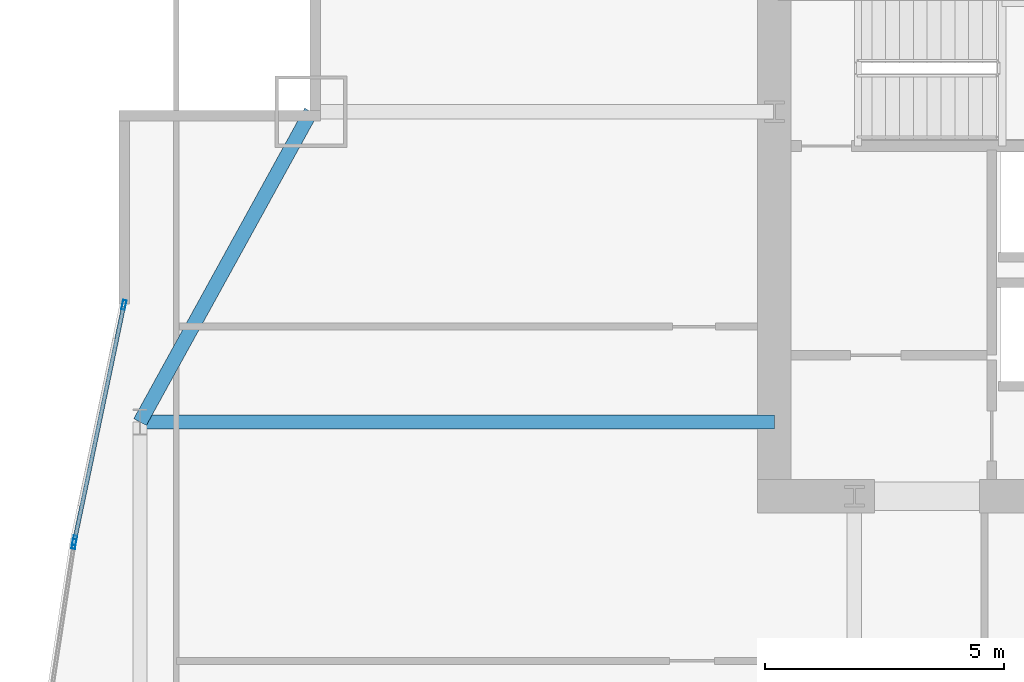
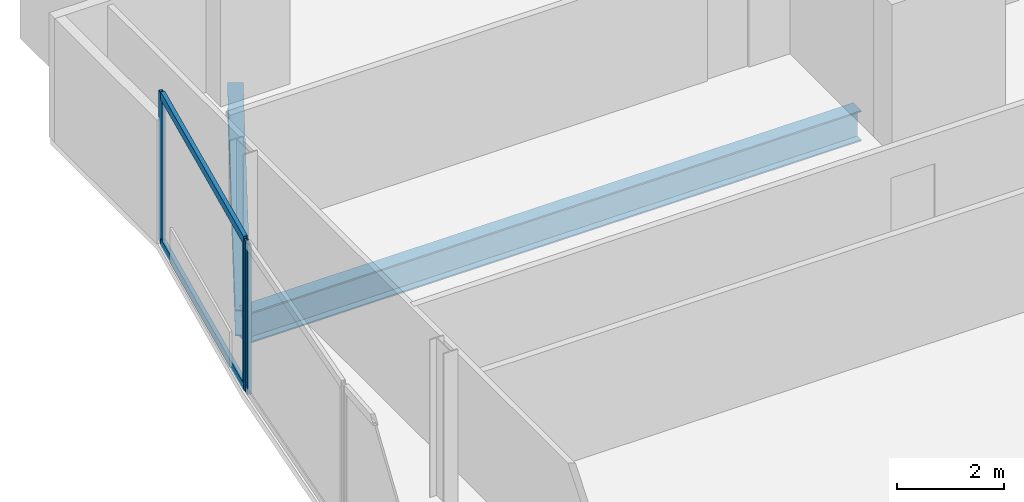
# One storey, part 17 of 33: 5 members, 2 beams, 2 elements without a shape of their own.
"""IFC4 building model written with IfcOpenShell, lengths in metres."""

from ifc_helpers import new_model, si_unit, direction, frame, origin, origin_2d, place, context, subcontext, project, spatial, hollow_rectangle, i_section, extrude, material, material_profile, profile_set, type_object, element, aggregate, save


model = new_model("IFC4")

# Units and contexts
model_context = context("Model", 3, precision=1e-05, world=origin(), true_north=direction((0.0, 1.0)))
body_context = subcontext(model_context, "Body", "Model", "MODEL_VIEW")
ifc_project = project(units=[si_unit("LENGTHUNIT", "METRE"), si_unit("AREAUNIT", "SQUARE_METRE"), si_unit("VOLUMEUNIT", "CUBIC_METRE"), si_unit("PLANEANGLEUNIT", "RADIAN"), si_unit("MASSUNIT", "GRAM", prefix="KILO")], contexts=[model_context])

# Site, building, storey
site_placement = place(None, origin())
site = spatial("IfcSite", under=ifc_project, at=site_placement, CompositionType="ELEMENT")
building_placement = place(site_placement, origin())
building = spatial("IfcBuilding", under=site, at=building_placement, Name="Khoronbel Lancet Exchange", CompositionType="ELEMENT")
storey_placement = place(building_placement, frame((0.0, 0.0, 114.60009765625)))
storey = spatial("IfcBuildingStorey", under=building, at=storey_placement, Name="L27", CompositionType="ELEMENT", Elevation=114.60009765625)

# Beams
ifc_material_1 = material(Name="Steel S355", Category="steel")
ifc_material_profile_1 = material_profile(ifc_material_1, i_section(OverallWidth=0.300048828125, OverallDepth=0.699951171875, WebThickness=0.01708984375, FlangeThickness=0.031982421875, at=origin_2d()), Name="HEB 700")
ifc_profile_set_1 = profile_set([ifc_material_profile_1], Name="Steel S355")
beam_type_1 = type_object("IfcBeamType", Name="BM-BG3", PredefinedType="BEAM", material=ifc_profile_set_1)
beam_1_placement = place(storey_placement, frame((3.27001953125, 43.199951171875, -0.510009765625), z_axis=(1.0, 0.0, 0.0), x_axis=(0.0, 1.0, 0.0)))
element("IfcBeam", 1, at=beam_1_placement, inside=storey, type_object=beam_type_1, Name="Level L27 west lens tie girder LG3W", PredefinedType="BEAM", context=body_context, shape_type="SweptSolid", body=[
    extrude(i_section(OverallWidth=0.300048828125, OverallDepth=0.699951171875, WebThickness=0.01708984375, FlangeThickness=0.031982421875, at=origin_2d()), origin(), (0.0, 0.0, 1.0), 13.280029296875),
])
ifc_material_profile_2 = material_profile(ifc_material_1, i_section(OverallWidth=0.300048828125, OverallDepth=0.60009765625, WebThickness=0.015380859375, FlangeThickness=0.030029296875, at=origin_2d()), Name="HEB 600")
ifc_profile_set_2 = profile_set([ifc_material_profile_2], Name="Steel S355")
beam_type_2 = type_object("IfcBeamType", Name="BM-BSP2", PredefinedType="SPANDREL", material=ifc_profile_set_2)
beam_2_placement = place(storey_placement, frame((6.85009765625, 49.699951171875, -0.460205078125), z_axis=(-0.482444051088, -0.875926787791, 0.0), x_axis=(0.875926787791, -0.482444051088, 0.0)))
element("IfcBeam", 2, at=beam_2_placement, inside=storey, type_object=beam_type_2, Name="Level L27 perimeter spandrel beam SP16", PredefinedType="SPANDREL", context=body_context, shape_type="SweptSolid", body=[
    extrude(i_section(OverallWidth=0.300048828125, OverallDepth=0.60009765625, WebThickness=0.015380859375, FlangeThickness=0.030029296875, at=origin_2d()), origin(), (0.0, 0.0, 1.0), 7.420654296875),
])

# Curtain wall, member
ifc_material_2 = material(Name="Low-E Solar Control Insulating Glass", Category="glass")
curtain_wall_type = type_object("IfcCurtainWallType", Name="CW-4", PredefinedType="NOTDEFINED", material=ifc_material_2)
curtain_wall_1_placement = place(storey_placement, origin())
curtain_wall_1 = element("IfcCurtainWall", 3, at=curtain_wall_1_placement, inside=storey, type_object=curtain_wall_type, Name="Unitised curtain wall CW-L27-E08", PredefinedType="NOTDEFINED")
ifc_material_3 = material(Name="Bronze-Anodised Aluminium 6063-T6", Category="aluminium")
ifc_material_profile_3 = material_profile(ifc_material_3, hollow_rectangle(XDim=0.074951171875, YDim=0.199951171875, WallThickness=0.0048828125, at=origin_2d()), Name="ALU MULLION 75x200")
ifc_profile_set_3 = profile_set([ifc_material_profile_3], Name="Bronze-Anodised Aluminium 6063-T6")
member_type_1 = type_object("IfcMemberType", Name="MEM-CWM2", PredefinedType="MULLION", material=ifc_profile_set_3)
member_1_placement = place(storey_placement, frame((1.88623046875, 40.646728515625, 0.0), z_axis=(0.0, 0.0, 1.0), x_axis=(-0.988454851149, 0.151515699646, 0.0)))
member_1 = element("IfcMember", 4, at=member_1_placement, type_object=member_type_1, Name="CW4 mullion 2", PredefinedType="MULLION", context=body_context, shape_type="SweptSolid", body=[
    extrude(hollow_rectangle(XDim=0.074951171875, YDim=0.199951171875, WallThickness=0.0048828125, at=origin_2d()), origin(), (0.0, 0.0, 1.0), 3.43994140625),
])
aggregate(curtain_wall_1, [member_1])

# Curtain wall, members
curtain_wall_2_placement = place(storey_placement, origin())
curtain_wall_2 = element("IfcCurtainWall", 5, at=curtain_wall_2_placement, inside=storey, type_object=curtain_wall_type, Name="Unitised curtain wall CW-L27-E09", PredefinedType="NOTDEFINED")
member_2_placement = place(storey_placement, frame((1.8994140625, 40.720703125, 0.0), z_axis=(0.0, 0.0, 1.0), x_axis=(-0.978780231613, 0.204912806344, 0.0)))
member_2 = element("IfcMember", 6, at=member_2_placement, type_object=member_type_1, Name="CW4 mullion 1", PredefinedType="MULLION", context=body_context, shape_type="SweptSolid", body=[
    extrude(hollow_rectangle(XDim=0.074951171875, YDim=0.199951171875, WallThickness=0.0048828125, at=origin_2d()), origin(), (0.0, 0.0, 1.0), 3.43994140625),
])
member_3_placement = place(storey_placement, frame((2.932373046875, 45.654052734375, 0.0), z_axis=(0.0, 0.0, 1.0), x_axis=(-0.978780231613, 0.204912806344, 0.0)))
member_3 = element("IfcMember", 7, at=member_3_placement, type_object=member_type_1, Name="CW4 mullion 2", PredefinedType="MULLION", context=body_context, shape_type="SweptSolid", body=[
    extrude(hollow_rectangle(XDim=0.074951171875, YDim=0.199951171875, WallThickness=0.0048828125, at=origin_2d()), origin(), (0.0, 0.0, 1.0), 3.43994140625),
])
ifc_material_profile_4 = material_profile(ifc_material_3, hollow_rectangle(XDim=0.0849609375, YDim=0.179931640625, WallThickness=0.0048828125, at=origin_2d()), Name="ALU TRANSOM 85x180")
ifc_profile_set_4 = profile_set([ifc_material_profile_4], Name="Bronze-Anodised Aluminium 6063-T6")
member_type_2 = type_object("IfcMemberType", Name="MEM-CWT1", PredefinedType="USERDEFINED", material=ifc_profile_set_4)
member_4_placement = place(storey_placement, frame((1.9072265625, 40.75732421875, 0.04248046875), z_axis=(0.204892732653, 0.978784433931, 0.0), x_axis=(-0.978784433931, 0.204892732653, 0.0)))
member_4 = element("IfcMember", 8, at=member_4_placement, type_object=member_type_2, Name="CW4 transom 1.1", ObjectType="TRANSOM", PredefinedType="USERDEFINED", context=body_context, shape_type="SweptSolid", body=[
    extrude(hollow_rectangle(XDim=0.0849609375, YDim=0.179931640625, WallThickness=0.0048828125, at=origin_2d()), origin(), (0.0, 0.0, 1.0), 4.965087890625),
])
member_5_placement = place(storey_placement, frame((1.9072265625, 40.75732421875, 3.3974609375), z_axis=(0.204892732653, 0.978784433931, 0.0), x_axis=(-0.978784433931, 0.204892732653, 0.0)))
member_5 = element("IfcMember", 9, at=member_5_placement, type_object=member_type_2, Name="CW4 transom 1.2", ObjectType="TRANSOM", PredefinedType="USERDEFINED", context=body_context, shape_type="SweptSolid", body=[
    extrude(hollow_rectangle(XDim=0.0849609375, YDim=0.179931640625, WallThickness=0.0048828125, at=origin_2d()), origin(), (0.0, 0.0, 1.0), 4.965087890625),
])
aggregate(curtain_wall_2, [member_2, member_3, member_4, member_5])

save(model, "model.ifc")
